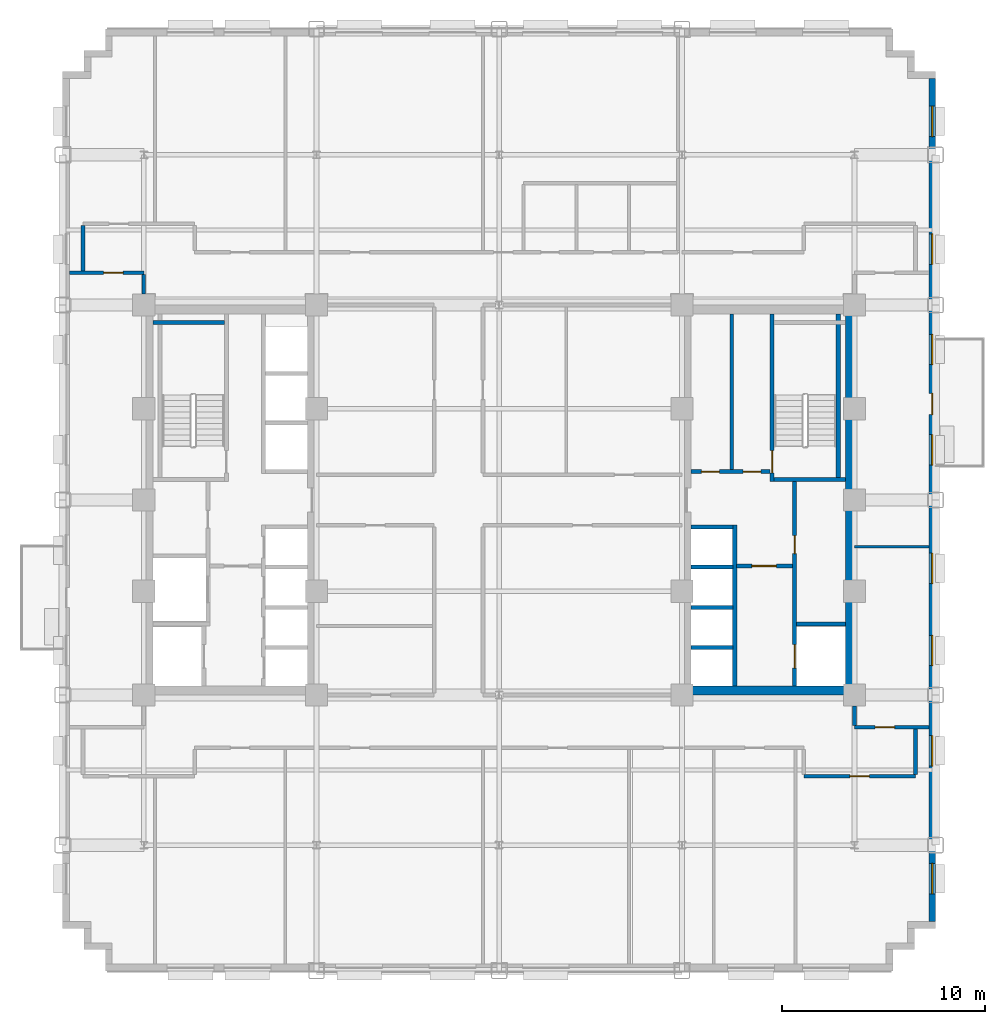
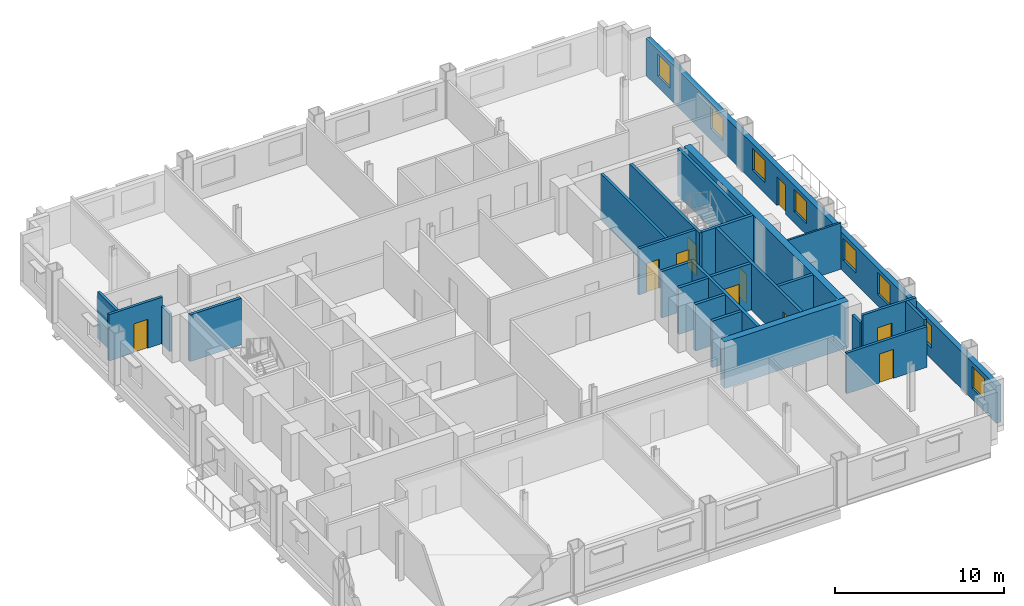
# One storey, part 8 of 14: 25 walls, 10 doors, 8 windows, 18 openings.
"""IFC4 building model written with IfcOpenShell, lengths in metres."""

from ifc_helpers import new_model, si_unit, direction, frame, frame_2d, origin, place, context, subcontext, project, spatial, rectangle, extrude, source, transform, mapped, material, layer, layer_set, type_object, type_shapes, element, fill, save


model = new_model("IFC4")

# Units and contexts
model_context = context("Model", 3, precision=1e-05, world=origin(), true_north=direction((0.0, 1.0)))
body_context = subcontext(model_context, "Body", "Model", "MODEL_VIEW")
ifc_project = project(units=[si_unit("LENGTHUNIT", "METRE"), si_unit("AREAUNIT", "SQUARE_METRE"), si_unit("VOLUMEUNIT", "CUBIC_METRE"), si_unit("PLANEANGLEUNIT", "RADIAN"), si_unit("MASSUNIT", "GRAM", prefix="KILO")], contexts=[model_context])

# Site, building, storey
site_placement = place(None, origin())
site = spatial("IfcSite", under=ifc_project, at=site_placement, CompositionType="ELEMENT")
building_placement = place(site_placement, origin())
building = spatial("IfcBuilding", under=site, at=building_placement, Name="Nuvemarco Arch Tower", CompositionType="ELEMENT")
storey_placement = place(building_placement, frame((0.0, 0.0, 56.800048828125)))
storey = spatial("IfcBuildingStorey", under=building, at=storey_placement, Name="L14", CompositionType="ELEMENT", Elevation=56.800048828125)

# Wall, openings, door, windows
ifc_material_1 = material(Name="Precast concrete C45/55", Category="concrete")
ifc_layer_1 = layer(ifc_material_1, 0.340087890625, Name="EW-LOW-340")
ifc_layer_set_1 = layer_set([ifc_layer_1], Name="Precast concrete C45/55")
wall_type_1 = type_object("IfcWallType", Name="EW-LOW-340", PredefinedType="STANDARD", material=ifc_layer_set_1)
wall_1_placement = place(storey_placement, frame((21.330078125, -20.763916015625, 0.0), z_axis=(0.0, 0.0, 1.0), x_axis=(0.0, 1.0, 0.0)))
wall_1 = element("IfcWall", 1, at=wall_1_placement, inside=storey, type_object=wall_type_1, Name="L14 exterior precast facade wall 6", PredefinedType="STANDARD", context=body_context, shape_type="SweptSolid", body=[
    extrude(rectangle(XDim=41.52783203125, YDim=0.340087890625, at=frame_2d((20.763916015625, 0.0))), origin(), (0.0, 0.0, 1.0), 2.704833984375),
])
opening_1_placement = place(wall_1_placement, frame((26.01416015625, 0.0, 0.0), z_axis=(0.0, 0.0, 1.0), x_axis=(-1.0, 0.0, 0.0)))
opening_1 = element("IfcOpeningElement", 2, at=opening_1_placement, cuts=wall_1, Name="Opening ED-5", PredefinedType="OPENING", context=body_context, shape_type="SweptSolid", body=[
    extrude(rectangle(XDim=1.050048828125, YDim=2.10009765625, at=frame_2d((0.52490234375, 1.050048828125))), frame((0.0, 0.179931640625, 0.0), z_axis=(0.0, -1.0, 0.0), x_axis=(1.0, 0.0, 0.0)), (0.0, 0.0, 1.0), 0.360107421875),
])
opening_2_placement = place(wall_1_placement, frame((1.37060546875, 0.0, 0.800048828125)))
opening_2 = element("IfcOpeningElement", 3, at=opening_2_placement, cuts=wall_1, Name="Opening WN-11", PredefinedType="OPENING", context=body_context, shape_type="SweptSolid", body=[
    extrude(rectangle(XDim=1.5, YDim=1.60009765625, at=frame_2d((0.75, 0.800048828125))), frame((0.0, 0.179931640625, 0.0), z_axis=(0.0, -1.0, 0.0), x_axis=(1.0, 0.0, 0.0)), (0.0, 0.0, 1.0), 0.360107421875),
])
opening_3_placement = place(wall_1_placement, frame((7.66162109375, 0.0, 0.800048828125)))
opening_3 = element("IfcOpeningElement", 4, at=opening_3_placement, cuts=wall_1, Name="Opening WN-11", PredefinedType="OPENING", context=body_context, shape_type="SweptSolid", body=[
    extrude(rectangle(XDim=1.5, YDim=1.60009765625, at=frame_2d((0.75, 0.800048828125))), frame((0.0, 0.179931640625, 0.0), z_axis=(0.0, -1.0, 0.0), x_axis=(1.0, 0.0, 0.0)), (0.0, 0.0, 1.0), 0.360107421875),
])
opening_4_placement = place(wall_1_placement, frame((12.6025390625, 0.0, 0.800048828125)))
opening_4 = element("IfcOpeningElement", 5, at=opening_4_placement, cuts=wall_1, Name="Opening WN-11", PredefinedType="OPENING", context=body_context, shape_type="SweptSolid", body=[
    extrude(rectangle(XDim=1.5, YDim=1.60009765625, at=frame_2d((0.75, 0.800048828125))), frame((0.0, 0.179931640625, 0.0), z_axis=(0.0, -1.0, 0.0), x_axis=(1.0, 0.0, 0.0)), (0.0, 0.0, 1.0), 0.360107421875),
])
opening_5_placement = place(wall_1_placement, frame((16.6435546875, 0.0, 0.800048828125)))
opening_5 = element("IfcOpeningElement", 6, at=opening_5_placement, cuts=wall_1, Name="Opening WN-11", PredefinedType="OPENING", context=body_context, shape_type="SweptSolid", body=[
    extrude(rectangle(XDim=1.5, YDim=1.60009765625, at=frame_2d((0.75, 0.800048828125))), frame((0.0, 0.179931640625, 0.0), z_axis=(0.0, -1.0, 0.0), x_axis=(1.0, 0.0, 0.0)), (0.0, 0.0, 1.0), 0.360107421875),
])
opening_6_placement = place(wall_1_placement, frame((22.484619140625, 0.0, 0.800048828125)))
opening_6 = element("IfcOpeningElement", 7, at=opening_6_placement, cuts=wall_1, Name="Opening WN-11", PredefinedType="OPENING", context=body_context, shape_type="SweptSolid", body=[
    extrude(rectangle(XDim=1.5, YDim=1.60009765625, at=frame_2d((0.75, 0.800048828125))), frame((0.0, 0.179931640625, 0.0), z_axis=(0.0, -1.0, 0.0), x_axis=(1.0, 0.0, 0.0)), (0.0, 0.0, 1.0), 0.360107421875),
])
opening_7_placement = place(wall_1_placement, frame((27.425537109375, 0.0, 0.800048828125)))
opening_7 = element("IfcOpeningElement", 8, at=opening_7_placement, cuts=wall_1, Name="Opening WN-11", PredefinedType="OPENING", context=body_context, shape_type="SweptSolid", body=[
    extrude(rectangle(XDim=1.5, YDim=1.60009765625, at=frame_2d((0.75, 0.800048828125))), frame((0.0, 0.179931640625, 0.0), z_axis=(0.0, -1.0, 0.0), x_axis=(1.0, 0.0, 0.0)), (0.0, 0.0, 1.0), 0.360107421875),
])
opening_8_placement = place(wall_1_placement, frame((32.366455078125, 0.0, 0.800048828125)))
opening_8 = element("IfcOpeningElement", 9, at=opening_8_placement, cuts=wall_1, Name="Opening WN-11", PredefinedType="OPENING", context=body_context, shape_type="SweptSolid", body=[
    extrude(rectangle(XDim=1.5, YDim=1.60009765625, at=frame_2d((0.75, 0.800048828125))), frame((0.0, 0.179931640625, 0.0), z_axis=(0.0, -1.0, 0.0), x_axis=(1.0, 0.0, 0.0)), (0.0, 0.0, 1.0), 0.360107421875),
])
opening_9_placement = place(wall_1_placement, frame((38.657470703125, 0.0, 0.800048828125)))
opening_9 = element("IfcOpeningElement", 10, at=opening_9_placement, cuts=wall_1, Name="Opening WN-11", PredefinedType="OPENING", context=body_context, shape_type="SweptSolid", body=[
    extrude(rectangle(XDim=1.5, YDim=1.60009765625, at=frame_2d((0.75, 0.800048828125))), frame((0.0, 0.179931640625, 0.0), z_axis=(0.0, -1.0, 0.0), x_axis=(1.0, 0.0, 0.0)), (0.0, 0.0, 1.0), 0.360107421875),
])
ifc_material_2 = material(Name="Anodised bronze and laminated glass", Category="glass")
door_type_1 = type_object("IfcDoorType", Name="DR-EXT-TERR", OperationType="NOTDEFINED", PredefinedType="DOOR", material=ifc_material_2)
shared_shape_1 = source(origin(), body_context, "Body", "SweptSolid", [
    extrude(rectangle(XDim=1.050048828125, YDim=2.10009765625, at=frame_2d((0.52490234375, 1.050048828125))), frame((0.0, 0.02490234375, 0.0), z_axis=(0.0, -1.0, 0.0), x_axis=(1.0, 0.0, 0.0)), (0.0, 0.0, 1.0), 0.050048828125),
])
type_shapes(door_type_1, [shared_shape_1])
door_1_placement = place(opening_1_placement, origin())
door_1 = element("IfcDoor", 11, at=door_1_placement, inside=storey, type_object=door_type_1, Name="L14 spiral terrace access door", OperationType="SINGLE_SWING_RIGHT", OverallHeight=2.10009765625, OverallWidth=1.050048828125, PredefinedType="DOOR", context=body_context, shape_type="MappedRepresentation", body=[
    mapped(shared_shape_1, transform((0.0, 0.0, 0.0), scale=1.0)),
])
fill(opening_1, door_1)
ifc_material_3 = material(Name="Insulated solar-control glass", Category="glass")
window_type = type_object("IfcWindowType", Name="WN-STEP-1500x1850", PartitioningType="SINGLE_PANEL", PredefinedType="WINDOW", material=ifc_material_3)
shared_shape_2 = source(origin(), body_context, "Body", "SweptSolid", [
    extrude(rectangle(XDim=1.5, YDim=1.60009765625, at=frame_2d((0.75, 0.800048828125))), frame((0.0, 0.030029296875, 0.0), z_axis=(0.0, -1.0, 0.0), x_axis=(1.0, 0.0, 0.0)), (0.0, 0.0, 1.0), 0.06005859375),
])
type_shapes(window_type, [shared_shape_2])
window_1_placement = place(opening_2_placement, origin())
window_1 = element("IfcWindow", 12, at=window_1_placement, inside=storey, type_object=window_type, Name="L14 punched facade window 1", OverallHeight=1.60009765625, OverallWidth=1.5, PartitioningType="SINGLE_PANEL", PredefinedType="WINDOW", context=body_context, shape_type="MappedRepresentation", body=[
    mapped(shared_shape_2, transform((0.0, 0.0, 0.0), scale=1.0)),
])
fill(opening_2, window_1)
window_2_placement = place(opening_3_placement, origin())
window_2 = element("IfcWindow", 13, at=window_2_placement, inside=storey, type_object=window_type, Name="L14 punched facade window 2", OverallHeight=1.60009765625, OverallWidth=1.5, PartitioningType="SINGLE_PANEL", PredefinedType="WINDOW", context=body_context, shape_type="MappedRepresentation", body=[
    mapped(shared_shape_2, transform((0.0, 0.0, 0.0), scale=1.0)),
])
fill(opening_3, window_2)
window_3_placement = place(opening_4_placement, origin())
window_3 = element("IfcWindow", 14, at=window_3_placement, inside=storey, type_object=window_type, Name="L14 punched facade window 3", OverallHeight=1.60009765625, OverallWidth=1.5, PartitioningType="SINGLE_PANEL", PredefinedType="WINDOW", context=body_context, shape_type="MappedRepresentation", body=[
    mapped(shared_shape_2, transform((0.0, 0.0, 0.0), scale=1.0)),
])
fill(opening_4, window_3)
window_4_placement = place(opening_5_placement, origin())
window_4 = element("IfcWindow", 15, at=window_4_placement, inside=storey, type_object=window_type, Name="L14 punched facade window 4", OverallHeight=1.60009765625, OverallWidth=1.5, PartitioningType="SINGLE_PANEL", PredefinedType="WINDOW", context=body_context, shape_type="MappedRepresentation", body=[
    mapped(shared_shape_2, transform((0.0, 0.0, 0.0), scale=1.0)),
])
fill(opening_5, window_4)
window_5_placement = place(opening_6_placement, origin())
window_5 = element("IfcWindow", 16, at=window_5_placement, inside=storey, type_object=window_type, Name="L14 punched facade window 5", OverallHeight=1.60009765625, OverallWidth=1.5, PartitioningType="SINGLE_PANEL", PredefinedType="WINDOW", context=body_context, shape_type="MappedRepresentation", body=[
    mapped(shared_shape_2, transform((0.0, 0.0, 0.0), scale=1.0)),
])
fill(opening_6, window_5)
window_6_placement = place(opening_7_placement, origin())
window_6 = element("IfcWindow", 17, at=window_6_placement, inside=storey, type_object=window_type, Name="L14 punched facade window 6", OverallHeight=1.60009765625, OverallWidth=1.5, PartitioningType="SINGLE_PANEL", PredefinedType="WINDOW", context=body_context, shape_type="MappedRepresentation", body=[
    mapped(shared_shape_2, transform((0.0, 0.0, 0.0), scale=1.0)),
])
fill(opening_7, window_6)
window_7_placement = place(opening_8_placement, origin())
window_7 = element("IfcWindow", 18, at=window_7_placement, inside=storey, type_object=window_type, Name="L14 punched facade window 7", OverallHeight=1.60009765625, OverallWidth=1.5, PartitioningType="SINGLE_PANEL", PredefinedType="WINDOW", context=body_context, shape_type="MappedRepresentation", body=[
    mapped(shared_shape_2, transform((0.0, 0.0, 0.0), scale=1.0)),
])
fill(opening_8, window_7)
window_8_placement = place(opening_9_placement, origin())
window_8 = element("IfcWindow", 19, at=window_8_placement, inside=storey, type_object=window_type, Name="L14 punched facade window 8", OverallHeight=1.60009765625, OverallWidth=1.5, PartitioningType="SINGLE_PANEL", PredefinedType="WINDOW", context=body_context, shape_type="MappedRepresentation", body=[
    mapped(shared_shape_2, transform((0.0, 0.0, 0.0), scale=1.0)),
])
fill(opening_9, window_8)

# Walls
ifc_material_4 = material(Name="Concrete C60/75", Category="concrete")
ifc_layer_2 = layer(ifc_material_4, 0.449951171875, Name="WL-CORE-450")
ifc_layer_set_2 = layer_set([ifc_layer_2], Name="Concrete C60/75")
wall_type_2 = type_object("IfcWallType", Name="WL-CORE-450", PredefinedType="SHEAR", material=ifc_layer_set_2)
wall_2_placement = place(storey_placement, frame((9.0, -9.375, 0.0), z_axis=(0.0, 0.0, 1.0), x_axis=(1.0, 0.0, 0.0)))
element("IfcWall", 20, at=wall_2_placement, inside=storey, type_object=wall_type_2, Name="L14 E-core shear wall S", PredefinedType="SHEAR", context=body_context, shape_type="SweptSolid", body=[
    extrude(rectangle(XDim=8.5, YDim=0.449951171875, at=frame_2d((4.25, 0.0))), origin(), (0.0, 0.0, 1.0), 3.369873046875),
])
wall_3_placement = place(storey_placement, frame((17.27490234375, -9.155029296875, 0.0), z_axis=(0.0, 0.0, 1.0), x_axis=(0.0, 1.0, 0.0)))
element("IfcWall", 21, at=wall_3_placement, inside=storey, type_object=wall_type_2, Name="L14 E-core shear wall E", PredefinedType="SHEAR", context=body_context, shape_type="SweptSolid", body=[
    extrude(rectangle(XDim=18.31005859375, YDim=0.449951171875, at=frame_2d((9.155029296875, 0.0))), origin(), (0.0, 0.0, 1.0), 3.369873046875),
])

# Wall, openings, doors
ifc_material_5 = material(Name="Fire-rated gypsum drywall partition")
ifc_layer_3 = layer(ifc_material_5, 0.179931640625, Name="WL-CORR-180")
ifc_layer_set_3 = layer_set([ifc_layer_3], Name="Fire-rated gypsum drywall partition")
wall_type_3 = type_object("IfcWallType", Name="WL-CORR-180", PredefinedType="PARTITIONING", material=ifc_layer_set_3)
wall_4_placement = place(storey_placement, frame((9.445068359375, 1.39990234375, 0.0), z_axis=(0.0, 0.0, 1.0), x_axis=(1.0, 0.0, 0.0)))
wall_4 = element("IfcWall", 22, at=wall_4_placement, inside=storey, type_object=wall_type_3, Name="L14 interior wall IW-L14-EK-S", PredefinedType="PARTITIONING", context=body_context, shape_type="SweptSolid", body=[
    extrude(rectangle(XDim=3.89990234375, YDim=0.179931640625, at=frame_2d((1.949951171875, 0.0))), origin(), (0.0, 0.0, 1.0), 3.35986328125),
])
opening_10_placement = place(wall_4_placement, frame((0.514892578125, 0.0, 0.0)))
opening_10 = element("IfcOpeningElement", 23, at=opening_10_placement, cuts=wall_4, Name="Opening FD-4", PredefinedType="OPENING", context=body_context, shape_type="SweptSolid", body=[
    extrude(rectangle(XDim=0.8798828125, YDim=2.10009765625, at=frame_2d((0.43994140625, 1.050048828125))), frame((0.0, 0.099853515625, 0.0), z_axis=(0.0, -1.0, 0.0), x_axis=(1.0, 0.0, 0.0)), (0.0, 0.0, 1.0), 0.199951171875),
])
opening_11_placement = place(wall_4_placement, frame((2.56494140625, 0.0, 0.0)))
opening_11 = element("IfcOpeningElement", 24, at=opening_11_placement, cuts=wall_4, Name="Opening FD-4", PredefinedType="OPENING", context=body_context, shape_type="SweptSolid", body=[
    extrude(rectangle(XDim=0.8798828125, YDim=2.10009765625, at=frame_2d((0.43994140625, 1.050048828125))), frame((0.0, 0.099853515625, 0.0), z_axis=(0.0, -1.0, 0.0), x_axis=(1.0, 0.0, 0.0)), (0.0, 0.0, 1.0), 0.199951171875),
])
ifc_material_6 = material(Name="Anodised steel fire door", Category="steel")
door_type_2 = type_object("IfcDoorType", Name="DR-RISER-FD", OperationType="NOTDEFINED", PredefinedType="DOOR", material=ifc_material_6)
shared_shape_3 = source(origin(), body_context, "Body", "SweptSolid", [
    extrude(rectangle(XDim=0.8798828125, YDim=2.10009765625, at=frame_2d((0.43994140625, 1.050048828125))), frame((0.0, 0.02490234375, 0.0), z_axis=(0.0, -1.0, 0.0), x_axis=(1.0, 0.0, 0.0)), (0.0, 0.0, 1.0), 0.050048828125),
])
type_shapes(door_type_2, [shared_shape_3])
door_2_placement = place(opening_10_placement, origin())
door_2 = element("IfcDoor", 25, at=door_2_placement, inside=storey, type_object=door_type_2, Name="L14 door FD-L14-EK2A", OperationType="SINGLE_SWING_RIGHT", OverallHeight=2.10009765625, OverallWidth=0.8798828125, PredefinedType="DOOR", context=body_context, shape_type="MappedRepresentation", body=[
    mapped(shared_shape_3, transform((0.0, 0.0, 0.0), scale=1.0)),
])
fill(opening_10, door_2)
door_3_placement = place(opening_11_placement, origin())
door_3 = element("IfcDoor", 26, at=door_3_placement, inside=storey, type_object=door_type_2, Name="L14 door FD-L14-EK2B", OperationType="SINGLE_SWING_LEFT", OverallHeight=2.10009765625, OverallWidth=0.8798828125, PredefinedType="DOOR", context=body_context, shape_type="MappedRepresentation", body=[
    mapped(shared_shape_3, transform((0.0, 0.0, 0.0), scale=1.0)),
])
fill(opening_11, door_3)

# Wall
wall_5_placement = place(storey_placement, frame((11.449951171875, 1.489990234375, 0.0), z_axis=(0.0, 0.0, 1.0), x_axis=(0.0, 1.0, 0.0)))
element("IfcWall", 27, at=wall_5_placement, inside=storey, type_object=wall_type_3, Name="L14 interior wall IW-L14-EK2", PredefinedType="PARTITIONING", context=body_context, shape_type="SweptSolid", body=[
    extrude(rectangle(XDim=7.6650390625, YDim=0.179931640625, at=frame_2d((3.83251953125, 0.0))), origin(), (0.0, 0.0, 1.0), 3.35986328125),
])

# Wall, opening, door
wall_6_placement = place(storey_placement, frame((15.0, -13.60009765625, 0.0), z_axis=(0.0, 0.0, 1.0), x_axis=(1.0, 0.0, 0.0)))
wall_6 = element("IfcWall", 28, at=wall_6_placement, inside=storey, type_object=wall_type_3, Name="L14 interior wall IW-L14-002", PredefinedType="PARTITIONING", context=body_context, shape_type="SweptSolid", body=[
    extrude(rectangle(XDim=5.5, YDim=0.179931640625, at=frame_2d((2.75, 0.0))), origin(), (0.0, 0.0, 1.0), 2.94189453125),
])
opening_12_placement = place(wall_6_placement, frame((2.27001953125, 0.0, 0.0)))
opening_12 = element("IfcOpeningElement", 29, at=opening_12_placement, cuts=wall_6, Name="Opening FD-5", PredefinedType="OPENING", context=body_context, shape_type="SweptSolid", body=[
    extrude(rectangle(XDim=0.9599609375, YDim=2.10009765625, at=frame_2d((0.47998046875, 1.050048828125))), frame((0.0, 0.099853515625, 0.0), z_axis=(0.0, -1.0, 0.0), x_axis=(1.0, 0.0, 0.0)), (0.0, 0.0, 1.0), 0.199951171875),
])
ifc_material_7 = material(Name="Timber fire door", Category="wood")
door_type_3 = type_object("IfcDoorType", Name="DR-CORR-FD", OperationType="NOTDEFINED", PredefinedType="DOOR", material=ifc_material_7)
shared_shape_4 = source(origin(), body_context, "Body", "SweptSolid", [
    extrude(rectangle(XDim=0.9599609375, YDim=2.10009765625, at=frame_2d((0.47998046875, 1.050048828125))), frame((0.0, 0.02490234375, 0.0), z_axis=(0.0, -1.0, 0.0), x_axis=(1.0, 0.0, 0.0)), (0.0, 0.0, 1.0), 0.050048828125),
])
type_shapes(door_type_3, [shared_shape_4])
door_4_placement = place(opening_12_placement, origin())
door_4 = element("IfcDoor", 30, at=door_4_placement, inside=storey, type_object=door_type_3, Name="L14 door DR-L14-S_7", OperationType="SINGLE_SWING_LEFT", OverallHeight=2.10009765625, OverallWidth=0.9599609375, PredefinedType="DOOR", context=body_context, shape_type="MappedRepresentation", body=[
    mapped(shared_shape_4, transform((0.0, 0.0, 0.0), scale=1.0)),
])
fill(opening_12, door_4)

wall_7_placement = place(storey_placement, frame((17.5, -11.199951171875, 0.0), z_axis=(0.0, 0.0, 1.0), x_axis=(1.0, 0.0, 0.0)))
wall_7 = element("IfcWall", 31, at=wall_7_placement, inside=storey, type_object=wall_type_3, Name="L14 interior wall IW-L14-005", PredefinedType="PARTITIONING", context=body_context, shape_type="SweptSolid", body=[
    extrude(rectangle(XDim=3.659912109375, YDim=0.179931640625, at=frame_2d((1.830078125, 0.0))), origin(), (0.0, 0.0, 1.0), 3.35986328125),
])
opening_13_placement = place(wall_7_placement, frame((1.02001953125, 0.0, 0.0)))
opening_13 = element("IfcOpeningElement", 32, at=opening_13_placement, cuts=wall_7, Name="Opening FD-5", PredefinedType="OPENING", context=body_context, shape_type="SweptSolid", body=[
    extrude(rectangle(XDim=0.9599609375, YDim=2.10009765625, at=frame_2d((0.47998046875, 1.050048828125))), frame((0.0, 0.099853515625, 0.0), z_axis=(0.0, -1.0, 0.0), x_axis=(1.0, 0.0, 0.0)), (0.0, 0.0, 1.0), 0.199951171875),
])
door_5_placement = place(opening_13_placement, origin())
door_5 = element("IfcDoor", 33, at=door_5_placement, inside=storey, type_object=door_type_3, Name="L14 door DR-L14-E_1", OperationType="SINGLE_SWING_RIGHT", OverallHeight=2.10009765625, OverallWidth=0.9599609375, PredefinedType="DOOR", context=body_context, shape_type="MappedRepresentation", body=[
    mapped(shared_shape_4, transform((0.0, 0.0, 0.0), scale=1.0)),
])
fill(opening_13, door_5)

wall_8_placement = place(storey_placement, frame((-21.159912109375, 11.199951171875, 0.0), z_axis=(0.0, 0.0, 1.0), x_axis=(1.0, 0.0, 0.0)))
wall_8 = element("IfcWall", 34, at=wall_8_placement, inside=storey, type_object=wall_type_3, Name="L14 interior wall IW-L14-018", PredefinedType="PARTITIONING", context=body_context, shape_type="SweptSolid", body=[
    extrude(rectangle(XDim=3.659912109375, YDim=0.179931640625, at=frame_2d((1.830078125, 0.0))), origin(), (0.0, 0.0, 1.0), 3.35986328125),
])
opening_14_placement = place(wall_8_placement, frame((1.679931640625, 0.0, 0.0)))
opening_14 = element("IfcOpeningElement", 35, at=opening_14_placement, cuts=wall_8, Name="Opening FD-5", PredefinedType="OPENING", context=body_context, shape_type="SweptSolid", body=[
    extrude(rectangle(XDim=0.9599609375, YDim=2.10009765625, at=frame_2d((0.47998046875, 1.050048828125))), frame((0.0, 0.099853515625, 0.0), z_axis=(0.0, -1.0, 0.0), x_axis=(1.0, 0.0, 0.0)), (0.0, 0.0, 1.0), 0.199951171875),
])
door_6_placement = place(opening_14_placement, origin())
door_6 = element("IfcDoor", 36, at=door_6_placement, inside=storey, type_object=door_type_3, Name="L14 door DR-L14-W_1", OperationType="SINGLE_SWING_LEFT", OverallHeight=2.10009765625, OverallWidth=0.9599609375, PredefinedType="DOOR", context=body_context, shape_type="MappedRepresentation", body=[
    mapped(shared_shape_4, transform((0.0, 0.0, 0.0), scale=1.0)),
])
fill(opening_14, door_6)

# Walls
wall_9_placement = place(storey_placement, frame((-20.5, 11.285888671875, 0.0), z_axis=(0.0, 0.0, 1.0), x_axis=(0.0, 1.0, 0.0)))
element("IfcWall", 37, at=wall_9_placement, inside=storey, type_object=wall_type_3, Name="L14 interior wall IW-L14-026", PredefinedType="PARTITIONING", context=body_context, shape_type="SweptSolid", body=[
    extrude(rectangle(XDim=2.22802734375, YDim=0.179931640625, at=frame_2d((1.114013671875, 0.0))), origin(), (0.0, 0.0, 1.0), 3.35986328125),
])
for number, where, z_axis, x_axis, name in (
    (38, (-17.5, 10.14599609375, 0.0), (0.0, 0.0, 1.0), (0.0, 1.0, 0.0), "L14 interior wall IW-L14-028"),
    (39, (17.5, -11.114013671875, 0.0), (0.0, 0.0, 1.0), (0.0, 1.0, 0.0), "L14 interior wall IW-L14-052"),
):
    element("IfcWall", number, at=place(storey_placement, frame(where, z_axis=z_axis, x_axis=x_axis)), inside=storey, type_object=wall_type_3, Name=name, PredefinedType="PARTITIONING", context=body_context, shape_type="SweptSolid", body=[
        extrude(rectangle(XDim=0.968017578125, YDim=0.179931640625, at=frame_2d((0.48388671875, 0.0))), origin(), (0.0, 0.0, 1.0), 2.738037109375),
    ])
wall_10_placement = place(storey_placement, frame((20.5, -13.513916015625, 0.0), z_axis=(0.0, 0.0, 1.0), x_axis=(0.0, 1.0, 0.0)))
element("IfcWall", 40, at=wall_10_placement, inside=storey, type_object=wall_type_3, Name="L14 interior wall IW-L14-054", PredefinedType="PARTITIONING", context=body_context, shape_type="SweptSolid", body=[
    extrude(rectangle(XDim=2.22802734375, YDim=0.179931640625, at=frame_2d((1.114013671875, 0.0))), origin(), (0.0, 0.0, 1.0), 3.35986328125),
])
ifc_material_8 = material(Name="Glazed acoustic office partition")
ifc_layer_4 = layer(ifc_material_8, 0.1298828125, Name="WL-EXEC-130")
ifc_layer_set_4 = layer_set([ifc_layer_4], Name="Glazed acoustic office partition")
wall_type_4 = type_object("IfcWallType", Name="WL-EXEC-130", PredefinedType="PARTITIONING", material=ifc_layer_set_4)
wall_11_placement = place(storey_placement, frame((17.5, -2.300048828125, 0.0), z_axis=(0.0, 0.0, 1.0), x_axis=(1.0, 0.0, 0.0)))
element("IfcWall", 41, at=wall_11_placement, inside=storey, type_object=wall_type_4, Name="L14 interior wall IW-L14-010", PredefinedType="PARTITIONING", context=body_context, shape_type="SweptSolid", body=[
    extrude(rectangle(XDim=3.659912109375, YDim=0.1298828125, at=frame_2d((1.830078125, 0.0))), origin(), (0.0, 0.0, 1.0), 3.35986328125),
])
ifc_material_9 = material(Name="Concrete C50/60", Category="concrete")
ifc_layer_5 = layer(ifc_material_9, 0.199951171875, Name="WL-SHAFT-220")
ifc_layer_set_5 = layer_set([ifc_layer_5], Name="Concrete C50/60")
wall_type_5 = type_object("IfcWallType", Name="WL-SHAFT-220", PredefinedType="SHEAR", material=ifc_layer_set_5)
wall_12_placement = place(storey_placement, frame((-17.054931640625, 8.75, 0.0), z_axis=(0.0, 0.0, 1.0), x_axis=(1.0, 0.0, 0.0)))
element("IfcWall", 42, at=wall_12_placement, inside=storey, type_object=wall_type_5, Name="L14 structural shaft wall SW-L14-W-ST1N", PredefinedType="SHEAR", context=body_context, shape_type="SweptSolid", body=[
    extrude(rectangle(XDim=3.52001953125, YDim=0.199951171875, at=frame_2d((1.760009765625, 0.0))), origin(), (0.0, 0.0, 1.0), 3.369873046875),
])

# Wall, opening, door
wall_13_placement = place(storey_placement, frame((13.43994140625, 0.89990234375, 0.0), z_axis=(0.0, 0.0, 1.0), x_axis=(0.0, 1.0, 0.0)))
wall_13 = element("IfcWall", 43, at=wall_13_placement, inside=storey, type_object=wall_type_5, Name="L14 structural shaft wall SW-L14-E-ST2W", PredefinedType="SHEAR", context=body_context, shape_type="SweptSolid", body=[
    extrude(rectangle(XDim=8.255126953125, YDim=0.199951171875, at=frame_2d((4.12744140625, 0.0))), origin(), (0.0, 0.0, 1.0), 3.369873046875),
])
opening_15_placement = place(wall_13_placement, frame((0.429931640625, 0.0, 0.0)))
opening_15 = element("IfcOpeningElement", 44, at=opening_15_placement, cuts=wall_13, Name="Opening FD-1", PredefinedType="OPENING", context=body_context, shape_type="SweptSolid", body=[
    extrude(rectangle(XDim=1.10009765625, YDim=2.14990234375, at=frame_2d((0.550048828125, 1.074951171875))), frame((0.0, 0.10986328125, 0.0), z_axis=(0.0, -1.0, 0.0), x_axis=(1.0, 0.0, 0.0)), (0.0, 0.0, 1.0), 0.219970703125),
])
door_type_4 = type_object("IfcDoorType", Name="DR-STAIR-FD", OperationType="NOTDEFINED", PredefinedType="DOOR", material=ifc_material_6)
shared_shape_5 = source(origin(), body_context, "Body", "SweptSolid", [
    extrude(rectangle(XDim=1.10009765625, YDim=2.14990234375, at=frame_2d((0.550048828125, 1.074951171875))), frame((0.0, 0.02490234375, 0.0), z_axis=(0.0, -1.0, 0.0), x_axis=(1.0, 0.0, 0.0)), (0.0, 0.0, 1.0), 0.050048828125),
])
type_shapes(door_type_4, [shared_shape_5])
door_7_placement = place(opening_15_placement, origin())
door_7 = element("IfcDoor", 45, at=door_7_placement, inside=storey, type_object=door_type_4, Name="L14 door FD-L14-ST2", OperationType="SINGLE_SWING_LEFT", OverallHeight=2.14990234375, OverallWidth=1.10009765625, PredefinedType="DOOR", context=body_context, shape_type="MappedRepresentation", body=[
    mapped(shared_shape_5, transform((0.0, 0.0, 0.0), scale=1.0)),
])
fill(opening_15, door_7)

# Walls
wall_14_placement = place(storey_placement, frame((13.534912109375, 1.0, 0.0), z_axis=(0.0, 0.0, 1.0), x_axis=(1.0, 0.0, 0.0)))
element("IfcWall", 46, at=wall_14_placement, inside=storey, type_object=wall_type_5, Name="L14 structural shaft wall SW-L14-E-ST2S", PredefinedType="SHEAR", context=body_context, shape_type="SweptSolid", body=[
    extrude(rectangle(XDim=3.52001953125, YDim=0.199951171875, at=frame_2d((1.760009765625, 0.0))), origin(), (0.0, 0.0, 1.0), 3.369873046875),
])
wall_15_placement = place(storey_placement, frame((16.699951171875, 1.094970703125, 0.0), z_axis=(0.0, 0.0, 1.0), x_axis=(0.0, 1.0, 0.0)))
element("IfcWall", 47, at=wall_15_placement, inside=storey, type_object=wall_type_5, Name="L14 structural shaft wall SW-L14-E-ST2E", PredefinedType="SHEAR", context=body_context, shape_type="SweptSolid", body=[
    extrude(rectangle(XDim=8.06005859375, YDim=0.199951171875, at=frame_2d((4.030029296875, 0.0))), origin(), (0.0, 0.0, 1.0), 3.369873046875),
])

# Wall, openings, doors
wall_16_placement = place(storey_placement, frame((14.550048828125, -9.155029296875, 0.0), z_axis=(0.0, 0.0, 1.0), x_axis=(0.0, 1.0, 0.0)))
wall_16 = element("IfcWall", 48, at=wall_16_placement, inside=storey, type_object=wall_type_5, Name="L14 structural shaft wall SW-L14-E-SHW", PredefinedType="SHEAR", context=body_context, shape_type="SweptSolid", body=[
    extrude(rectangle(XDim=10.06005859375, YDim=0.199951171875, at=frame_2d((5.030029296875, 0.0))), origin(), (0.0, 0.0, 1.0), 3.369873046875),
])
opening_16_placement = place(wall_16_placement, frame((6.514892578125, 0.0, 0.0)))
opening_16 = element("IfcOpeningElement", 49, at=opening_16_placement, cuts=wall_16, Name="Opening FD-4", PredefinedType="OPENING", context=body_context, shape_type="SweptSolid", body=[
    extrude(rectangle(XDim=0.8798828125, YDim=2.10009765625, at=frame_2d((0.43994140625, 1.050048828125))), frame((0.0, 0.10986328125, 0.0), z_axis=(0.0, -1.0, 0.0), x_axis=(1.0, 0.0, 0.0)), (0.0, 0.0, 1.0), 0.219970703125),
])
opening_17_placement = place(wall_16_placement, frame((0.8798828125, 0.0, 0.0)))
opening_17 = element("IfcOpeningElement", 50, at=opening_17_placement, cuts=wall_16, Name="Opening LD-2", PredefinedType="OPENING", context=body_context, shape_type="SweptSolid", body=[
    extrude(rectangle(XDim=1.14990234375, YDim=2.14990234375, at=frame_2d((0.574951171875, 1.074951171875))), frame((0.0, 0.10986328125, 0.0), z_axis=(0.0, -1.0, 0.0), x_axis=(1.0, 0.0, 0.0)), (0.0, 0.0, 1.0), 0.219970703125),
])
door_8_placement = place(opening_16_placement, origin())
door_8 = element("IfcDoor", 51, at=door_8_placement, inside=storey, type_object=door_type_2, Name="L14 door FD-L14-ERIS", OperationType="SINGLE_SWING_LEFT", OverallHeight=2.10009765625, OverallWidth=0.8798828125, PredefinedType="DOOR", context=body_context, shape_type="MappedRepresentation", body=[
    mapped(shared_shape_3, transform((0.0, 0.0, 0.0), scale=1.0)),
])
fill(opening_16, door_8)
ifc_material_10 = material(Name="Stainless steel lift door", Category="steel")
door_type_5 = type_object("IfcDoorType", Name="DR-LIFT-FIRE", OperationType="DOUBLE_DOOR_SLIDING", PredefinedType="DOOR", material=ifc_material_10)
shared_shape_6 = source(origin(), body_context, "Body", "SweptSolid", [
    extrude(rectangle(XDim=1.14990234375, YDim=2.14990234375, at=frame_2d((0.574951171875, 1.074951171875))), frame((0.0, 0.02490234375, 0.0), z_axis=(0.0, -1.0, 0.0), x_axis=(1.0, 0.0, 0.0)), (0.0, 0.0, 1.0), 0.050048828125),
])
type_shapes(door_type_5, [shared_shape_6])
door_9_placement = place(opening_17_placement, origin())
door_9 = element("IfcDoor", 52, at=door_9_placement, inside=storey, type_object=door_type_5, Name="L14 Lift landing sliding door FFL-2", OperationType="DOUBLE_DOOR_SLIDING", OverallHeight=2.14990234375, OverallWidth=1.14990234375, PredefinedType="DOOR", context=body_context, shape_type="MappedRepresentation", body=[
    mapped(shared_shape_6, transform((0.0, 0.0, 0.0), scale=1.0)),
])
fill(opening_17, door_9)

# Walls
wall_17_placement = place(storey_placement, frame((14.64501953125, -6.10009765625, 0.0), z_axis=(0.0, 0.0, 1.0), x_axis=(1.0, 0.0, 0.0)))
element("IfcWall", 53, at=wall_17_placement, inside=storey, type_object=wall_type_5, Name="L14 structural shaft wall SW-L14-E-SH1", PredefinedType="SHEAR", context=body_context, shape_type="SweptSolid", body=[
    extrude(rectangle(XDim=2.409912109375, YDim=0.199951171875, at=frame_2d((1.205078125, 0.0))), origin(), (0.0, 0.0, 1.0), 3.369873046875),
])
wall_18_placement = place(storey_placement, frame((11.60009765625, -9.155029296875, 0.0), z_axis=(0.0, 0.0, 1.0), x_axis=(0.0, 1.0, 0.0)))
element("IfcWall", 54, at=wall_18_placement, inside=storey, type_object=wall_type_5, Name="L14 structural shaft wall SW-L14-E-PME", PredefinedType="SHEAR", context=body_context, shape_type="SweptSolid", body=[
    extrude(rectangle(XDim=7.925048828125, YDim=0.199951171875, at=frame_2d((3.96240234375, 0.0))), origin(), (0.0, 0.0, 1.0), 3.369873046875),
])

# Wall, opening, door
wall_19_placement = place(storey_placement, frame((11.695068359375, -3.25, 0.0), z_axis=(0.0, 0.0, 1.0), x_axis=(1.0, 0.0, 0.0)))
wall_19 = element("IfcWall", 55, at=wall_19_placement, inside=storey, type_object=wall_type_5, Name="L14 structural shaft wall SW-L14-E-FFN", PredefinedType="SHEAR", context=body_context, shape_type="SweptSolid", body=[
    extrude(rectangle(XDim=2.760009765625, YDim=0.199951171875, at=frame_2d((1.3798828125, 0.0))), origin(), (0.0, 0.0, 1.0), 3.369873046875),
])
opening_18_placement = place(wall_19_placement, frame((0.7548828125, 0.0, 0.0)))
opening_18 = element("IfcOpeningElement", 56, at=opening_18_placement, cuts=wall_19, Name="Opening FD-2", PredefinedType="OPENING", context=body_context, shape_type="SweptSolid", body=[
    extrude(rectangle(XDim=1.199951171875, YDim=2.14990234375, at=frame_2d((0.60009765625, 1.074951171875))), frame((0.0, 0.10986328125, 0.0), z_axis=(0.0, -1.0, 0.0), x_axis=(1.0, 0.0, 0.0)), (0.0, 0.0, 1.0), 0.219970703125),
])
door_type_6 = type_object("IfcDoorType", Name="DR-FFLOB-FD", OperationType="NOTDEFINED", PredefinedType="DOOR", material=ifc_material_6)
shared_shape_7 = source(origin(), body_context, "Body", "SweptSolid", [
    extrude(rectangle(XDim=1.199951171875, YDim=2.14990234375, at=frame_2d((0.60009765625, 1.074951171875))), frame((0.0, 0.02490234375, 0.0), z_axis=(0.0, -1.0, 0.0), x_axis=(1.0, 0.0, 0.0)), (0.0, 0.0, 1.0), 0.050048828125),
])
type_shapes(door_type_6, [shared_shape_7])
door_10_placement = place(opening_18_placement, origin())
door_10 = element("IfcDoor", 57, at=door_10_placement, inside=storey, type_object=door_type_6, Name="L14 door FD-L14-EFF2", OperationType="SINGLE_SWING_LEFT", OverallHeight=2.14990234375, OverallWidth=1.199951171875, PredefinedType="DOOR", context=body_context, shape_type="MappedRepresentation", body=[
    mapped(shared_shape_7, transform((0.0, 0.0, 0.0), scale=1.0)),
])
fill(opening_18, door_10)

# Walls
for number, where, z_axis, x_axis, name in (
    (58, (9.445068359375, -7.27001953125, 0.0), (0.0, 0.0, 1.0), (1.0, 0.0, 0.0), "L14 structural shaft wall SW-L14-E-PMD1"),
    (59, (9.445068359375, -5.2900390625, 0.0), (0.0, 0.0, 1.0), (1.0, 0.0, 0.0), "L14 structural shaft wall SW-L14-E-PMD2"),
    (60, (9.445068359375, -3.31005859375, 0.0), (0.0, 0.0, 1.0), (1.0, 0.0, 0.0), "L14 structural shaft wall SW-L14-E-PMD3"),
    (61, (9.445068359375, -1.330078125, 0.0), (0.0, 0.0, 1.0), (1.0, 0.0, 0.0), "L14 structural shaft wall SW-L14-E-PMD4"),
):
    element("IfcWall", number, at=place(storey_placement, frame(where, z_axis=z_axis, x_axis=x_axis)), inside=storey, type_object=wall_type_5, Name=name, PredefinedType="SHEAR", context=body_context, shape_type="SweptSolid", body=[
        extrude(rectangle(XDim=2.059814453125, YDim=0.199951171875, at=frame_2d((1.02978515625, 0.0))), origin(), (0.0, 0.0, 1.0), 3.369873046875),
    ])

save(model, "model.ifc")
